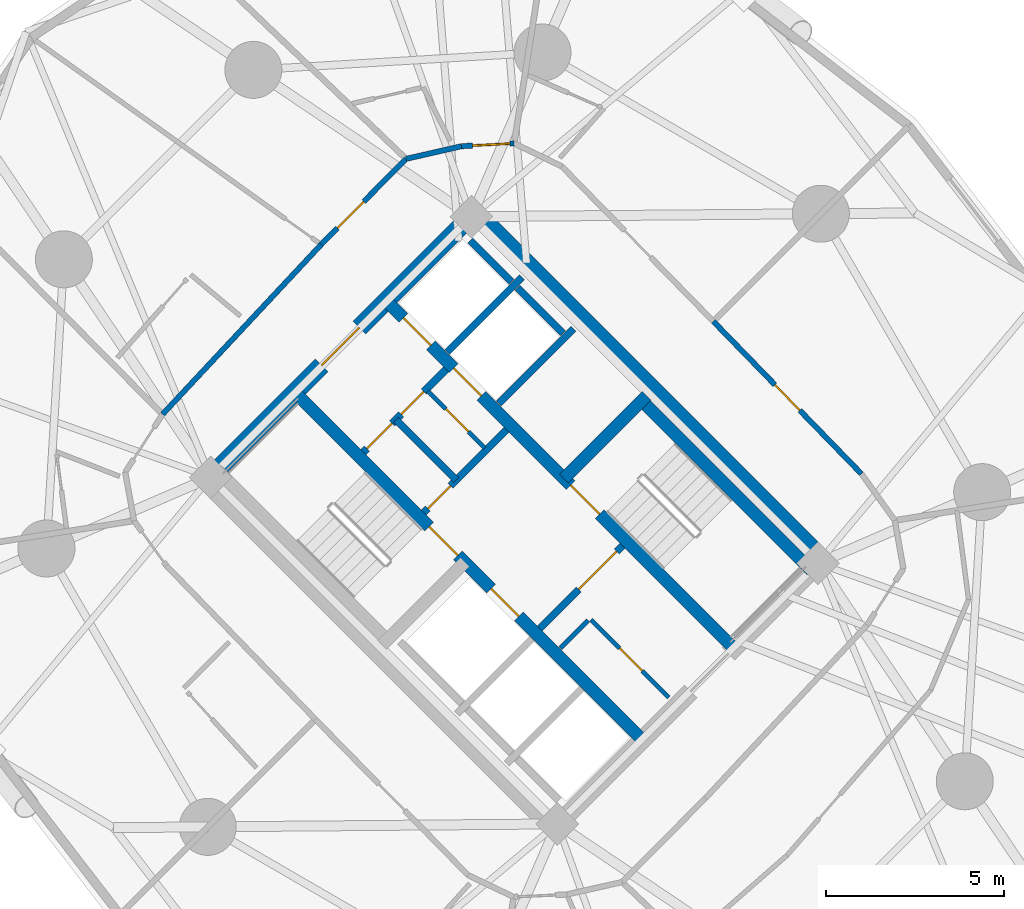
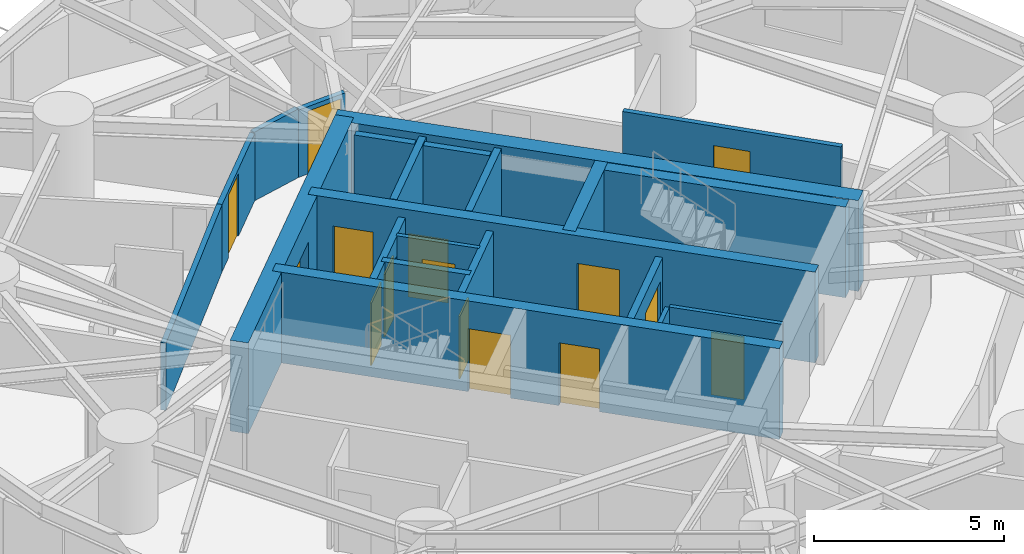
# One storey, part 14 of 19: 22 walls, 15 doors, 15 openings.
"""IFC4 building model written with IfcOpenShell, lengths in metres."""

from ifc_helpers import new_model, si_unit, direction, frame, frame_2d, origin, place, context, subcontext, project, spatial, rectangle, extrude, source, transform, mapped, material, layer, layer_set, type_object, element, fill, save


model = new_model("IFC4")

# Units and contexts
model_context = context("Model", 3, precision=1e-05, world=origin(), true_north=direction((0.0, 1.0)))
body_context = subcontext(model_context, "Body", "Model", "MODEL_VIEW")
ifc_project = project(units=[si_unit("LENGTHUNIT", "METRE"), si_unit("AREAUNIT", "SQUARE_METRE"), si_unit("VOLUMEUNIT", "CUBIC_METRE"), si_unit("PLANEANGLEUNIT", "RADIAN"), si_unit("MASSUNIT", "GRAM", prefix="KILO")], contexts=[model_context])

# Site, building, storey
site_placement = place(None, origin())
site = spatial("IfcSite", under=ifc_project, at=site_placement, CompositionType="ELEMENT")
building_placement = place(site_placement, origin())
building = spatial("IfcBuilding", under=site, at=building_placement, Name="Cununo Teusaquillo Station Towers", CompositionType="ELEMENT")
storey_placement = place(building_placement, frame((0.0, 0.0, 48.18994140625)))
storey = spatial("IfcBuildingStorey", under=building, at=storey_placement, Name="L14", CompositionType="ELEMENT", Elevation=48.18994140625)

# Walls
ifc_material_1 = material(Name="Concrete C50/60", Category="concrete")
ifc_layer_1 = layer(ifc_material_1, 0.199951171875)
ifc_layer_set_1 = layer_set([ifc_layer_1], Name="Concrete C50/60")
wall_type_1 = type_object("IfcWallType", Name="WL-CORE-200", PredefinedType="SHEAR", material=ifc_layer_set_1)
wall_1_placement = place(storey_placement, frame((57.0615234375, 27.781005859375, 0.0), z_axis=(0.0, 0.0, 1.0), x_axis=(0.707106781187, 0.707106781187, 0.0)))
element("IfcWall", 1, at=wall_1_placement, inside=storey, type_object=wall_type_1, Name="L14 Tower B Low-Rise Lift Hoistway South Shear Wall", PredefinedType="SHEAR", context=body_context, shape_type="SweptSolid", body=[
    extrude(rectangle(XDim=2.969970703125, YDim=0.199951171875, at=frame_2d((1.48486328125, 0.0))), origin(), (0.0, 0.0, 1.0), 2.91015625),
])
wall_2_placement = place(storey_placement, frame((55.615478515625, 29.22705078125, 0.0), z_axis=(0.0, 0.0, 1.0), x_axis=(0.707147878904, 0.70706568108, 0.0)))
element("IfcWall", 2, at=wall_2_placement, inside=storey, type_object=wall_type_1, Name="L14 Tower B Low-Rise Lift Hoistway Divider Shear Wall", PredefinedType="SHEAR", context=body_context, shape_type="SweptSolid", body=[
    extrude(rectangle(XDim=2.97021484375, YDim=0.199951171875, at=frame_2d((1.485107421875, 0.0))), origin(), (0.0, 0.0, 1.0), 2.91015625),
])
wall_3_placement = place(storey_placement, frame((58.86474609375, 29.75390625, 0.0), z_axis=(0.0, 0.0, 1.0), x_axis=(-0.707174411312, 0.707039144592, 0.0)))
element("IfcWall", 3, at=wall_3_placement, inside=storey, type_object=wall_type_1, Name="L14 Tower B Low-Rise Lift 1 Shaft Rear Shear Wall", PredefinedType="SHEAR", context=body_context, shape_type="SweptSolid", body=[
    extrude(rectangle(XDim=1.804931640625, YDim=0.199951171875, at=frame_2d((0.90234375, 0.0))), origin(), (0.0, 0.0, 1.0), 2.91015625),
])
wall_4_placement = place(storey_placement, frame((57.418701171875, 31.19970703125, 0.0), z_axis=(0.0, 0.0, 1.0), x_axis=(-0.707032117043, 0.707181437447, 0.0)))
element("IfcWall", 4, at=wall_4_placement, inside=storey, type_object=wall_type_1, Name="L14 Tower B Low-Rise Lift 2 Shaft Rear Shear Wall", PredefinedType="SHEAR", context=body_context, shape_type="SweptSolid", body=[
    extrude(rectangle(XDim=1.635009765625, YDim=0.199951171875, at=frame_2d((0.8173828125, 0.0))), origin(), (0.0, 0.0, 1.0), 2.91015625),
])

# Wall, openings, doors
ifc_material_2 = material(Name="Concrete C50/60", Category="concrete")
ifc_layer_2 = layer(ifc_material_2, 0.35009765625)
ifc_layer_set_2 = layer_set([ifc_layer_2], Name="Concrete C50/60")
wall_type_2 = type_object("IfcWallType", Name="WL-CORE-350", PredefinedType="SHEAR", material=ifc_layer_set_2)
wall_5_placement = place(storey_placement, frame((61.095703125, 18.337646484375, 0.0), z_axis=(0.0, 0.0, 1.0), x_axis=(-0.707106781187, 0.707106781187, 0.0)))
wall_5 = element("IfcWall", 5, at=wall_5_placement, inside=storey, type_object=wall_type_2, Name="L14 Tower B Core Shear Wall IW", PredefinedType="SHEAR", context=body_context, shape_type="SweptSolid", body=[
    extrude(rectangle(XDim=13.800048828125, YDim=0.35009765625, at=frame_2d((6.89990234375, 0.0))), origin(), (0.0, 0.0, 1.0), 2.91015625),
])
shared_shape_1 = source(origin(), body_context, "Body", "SweptSolid", [
    extrude(rectangle(XDim=1.10009765625, YDim=2.014892578125, at=frame_2d((0.550048828125, 1.00732421875))), frame((0.0, 0.18505859375, 0.0), z_axis=(0.0, -1.0, 0.0), x_axis=(1.0, 0.0, 0.0)), (0.0, 0.0, 1.0), 0.3701171875),
])
opening_1_placement = place(wall_5_placement, frame((4.89990234375, 0.0, 0.0)))
opening_1 = element("IfcOpeningElement", 6, at=opening_1_placement, cuts=wall_5, Name="Opening LD-01", PredefinedType="OPENING", context=body_context, shape_type="MappedRepresentation", body=[
    mapped(shared_shape_1, transform((0.0, 0.0, 0.0), x_axis=(1.0, 0.0, 0.0), y_axis=(0.0, 1.0, 0.0), z_axis=(0.0, 0.0, 1.0), scale=1.0)),
])
shared_shape_2 = source(origin(), body_context, "Body", "SweptSolid", [
    extrude(rectangle(XDim=1.14990234375, YDim=2.02001953125, at=frame_2d((0.574951171875, 1.010009765625))), frame((0.0, 0.18505859375, 0.0), z_axis=(0.0, -1.0, 0.0), x_axis=(1.0, 0.0, 0.0)), (0.0, 0.0, 1.0), 0.3701171875),
])
opening_2_placement = place(wall_5_placement, frame((7.320068359375, 0.0, 0.0)))
opening_2 = element("IfcOpeningElement", 7, at=opening_2_placement, cuts=wall_5, Name="Opening D-ST1", PredefinedType="OPENING", context=body_context, shape_type="MappedRepresentation", body=[
    mapped(shared_shape_2, transform((0.0, 0.0, 0.0), x_axis=(1.0, 0.0, 0.0), y_axis=(0.0, 1.0, 0.0), z_axis=(0.0, 0.0, 1.0), scale=1.0)),
])
ifc_material_3 = material(Name="Galvanised fire-rated hollow steel door assembly", Category="steel")
door_type_1 = type_object("IfcDoorType", Name="DR-LIFT-1100", OperationType="SLIDING_TO_LEFT", PredefinedType="DOOR", material=ifc_material_3)
shared_shape_3 = source(origin(), body_context, "Body", "SweptSolid", [
    extrude(rectangle(XDim=1.10009765625, YDim=2.014892578125, at=frame_2d((0.550048828125, 1.00732421875))), frame((0.0, 0.02490234375, 0.0), z_axis=(0.0, -1.0, 0.0), x_axis=(1.0, 0.0, 0.0)), (0.0, 0.0, 1.0), 0.050048828125),
])
door_1_placement = place(opening_1_placement, origin())
door_1 = element("IfcDoor", 8, at=door_1_placement, inside=storey, type_object=door_type_1, Name="L14 Lift FL-T2 Sliding Landing Door", OperationType="SLIDING_TO_RIGHT", OverallHeight=2.014892578125, OverallWidth=1.10009765625, PredefinedType="DOOR", context=body_context, shape_type="MappedRepresentation", body=[
    mapped(shared_shape_3, transform((0.0, 0.0, 0.0), x_axis=(1.0, 0.0, 0.0), y_axis=(0.0, 1.0, 0.0), z_axis=(0.0, 0.0, 1.0), scale=1.0)),
])
fill(opening_1, door_1)
ifc_material_4 = material(Name="Galvanised fire-rated hollow steel door assembly", Category="steel")
door_type_2 = type_object("IfcDoorType", Name="DR-STAIR-1150", OperationType="NOTDEFINED", PredefinedType="DOOR", material=ifc_material_4)
shared_shape_4 = source(origin(), body_context, "Body", "SweptSolid", [
    extrude(rectangle(XDim=1.14990234375, YDim=2.02001953125, at=frame_2d((0.574951171875, 1.010009765625))), frame((0.0, 0.02490234375, 0.0), z_axis=(0.0, -1.0, 0.0), x_axis=(1.0, 0.0, 0.0)), (0.0, 0.0, 1.0), 0.050048828125),
])
door_2_placement = place(opening_2_placement, origin())
door_2 = element("IfcDoor", 9, at=door_2_placement, inside=storey, type_object=door_type_2, Name="L14 Tower B Exit Stair 1 Fire Door", OperationType="SINGLE_SWING_LEFT", OverallHeight=2.02001953125, OverallWidth=1.14990234375, PredefinedType="DOOR", context=body_context, shape_type="MappedRepresentation", body=[
    mapped(shared_shape_4, transform((0.0, 0.0, 0.0), x_axis=(1.0, 0.0, 0.0), y_axis=(0.0, 1.0, 0.0), z_axis=(0.0, 0.0, 1.0), scale=1.0)),
])
fill(opening_2, door_2)

wall_6_placement = place(storey_placement, frame((63.662353515625, 20.904296875, 0.0), z_axis=(0.0, 0.0, 1.0), x_axis=(-0.707106781187, 0.707106781187, 0.0)))
wall_6 = element("IfcWall", 10, at=wall_6_placement, inside=storey, type_object=wall_type_2, Name="L14 Tower B Core Shear Wall IE", PredefinedType="SHEAR", context=body_context, shape_type="SweptSolid", body=[
    extrude(rectangle(XDim=13.800048828125, YDim=0.35009765625, at=frame_2d((6.89990234375, 0.0))), origin(), (0.0, 0.0, 1.0), 2.91015625),
])
opening_3_placement = place(wall_6_placement, frame((10.02490234375, 0.0, 0.0)))
opening_3 = element("IfcOpeningElement", 11, at=opening_3_placement, cuts=wall_6, Name="Opening LD-01", PredefinedType="OPENING", context=body_context, shape_type="MappedRepresentation", body=[
    mapped(shared_shape_1, transform((0.0, 0.0, 0.0), x_axis=(1.0, 0.0, 0.0), y_axis=(0.0, 1.0, 0.0), z_axis=(0.0, 0.0, 1.0), scale=1.0)),
])
opening_4_placement = place(wall_6_placement, frame((12.02490234375, 0.0, 0.0)))
opening_4 = element("IfcOpeningElement", 12, at=opening_4_placement, cuts=wall_6, Name="Opening LD-01", PredefinedType="OPENING", context=body_context, shape_type="MappedRepresentation", body=[
    mapped(shared_shape_1, transform((0.0, 0.0, 0.0), x_axis=(1.0, 0.0, 0.0), y_axis=(0.0, 1.0, 0.0), z_axis=(0.0, 0.0, 1.0), scale=1.0)),
])
opening_5_placement = place(wall_6_placement, frame((5.330078125, 0.0, 0.0)))
opening_5 = element("IfcOpeningElement", 13, at=opening_5_placement, cuts=wall_6, Name="Opening D-ST1", PredefinedType="OPENING", context=body_context, shape_type="MappedRepresentation", body=[
    mapped(shared_shape_2, transform((0.0, 0.0, 0.0), x_axis=(1.0, 0.0, 0.0), y_axis=(0.0, 1.0, 0.0), z_axis=(0.0, 0.0, 1.0), scale=1.0)),
])
door_3_placement = place(opening_3_placement, origin())
door_3 = element("IfcDoor", 14, at=door_3_placement, inside=storey, type_object=door_type_1, Name="L14 Lift PL-T2-L1 Sliding Landing Door", OperationType="SLIDING_TO_LEFT", OverallHeight=2.014892578125, OverallWidth=1.10009765625, PredefinedType="DOOR", context=body_context, shape_type="MappedRepresentation", body=[
    mapped(shared_shape_3, transform((0.0, 0.0, 0.0), x_axis=(1.0, 0.0, 0.0), y_axis=(0.0, 1.0, 0.0), z_axis=(0.0, 0.0, 1.0), scale=1.0)),
])
fill(opening_3, door_3)
door_4_placement = place(opening_4_placement, origin())
door_4 = element("IfcDoor", 15, at=door_4_placement, inside=storey, type_object=door_type_1, Name="L14 Lift PL-T2-L2 Sliding Landing Door", OperationType="SLIDING_TO_RIGHT", OverallHeight=2.014892578125, OverallWidth=1.10009765625, PredefinedType="DOOR", context=body_context, shape_type="MappedRepresentation", body=[
    mapped(shared_shape_3, transform((0.0, 0.0, 0.0), x_axis=(1.0, 0.0, 0.0), y_axis=(0.0, 1.0, 0.0), z_axis=(0.0, 0.0, 1.0), scale=1.0)),
])
fill(opening_4, door_4)
door_5_placement = place(opening_5_placement, origin())
door_5 = element("IfcDoor", 16, at=door_5_placement, inside=storey, type_object=door_type_2, Name="L14 Tower B Exit Stair 2 Fire Door", OperationType="SINGLE_SWING_RIGHT", OverallHeight=2.02001953125, OverallWidth=1.14990234375, PredefinedType="DOOR", context=body_context, shape_type="MappedRepresentation", body=[
    mapped(shared_shape_4, transform((0.0, 0.0, 0.0), x_axis=(1.0, 0.0, 0.0), y_axis=(0.0, 1.0, 0.0), z_axis=(0.0, 0.0, 1.0), scale=1.0)),
])
fill(opening_5, door_5)

# Walls
wall_7_placement = place(storey_placement, frame((65.847412109375, 23.08935546875, 0.0), z_axis=(0.0, 0.0, 1.0), x_axis=(-0.707106781187, 0.707106781187, 0.0)))
element("IfcWall", 17, at=wall_7_placement, inside=storey, type_object=wall_type_2, Name="L14 Tower B Core Shear Wall ST2E", PredefinedType="SHEAR", context=body_context, shape_type="SweptSolid", body=[
    extrude(rectangle(XDim=6.7451171875, YDim=0.35009765625, at=frame_2d((3.37255859375, 0.0))), origin(), (0.0, 0.0, 1.0), 2.91015625),
])
wall_8_placement = place(storey_placement, frame((58.89306640625, 25.673828125, 0.0), z_axis=(0.0, 0.0, 1.0), x_axis=(0.707106781187, 0.707106781187, 0.0)))
element("IfcWall", 18, at=wall_8_placement, inside=storey, type_object=wall_type_2, Name="L14 Tower B Core Shear Wall ST2N", PredefinedType="SHEAR", context=body_context, shape_type="SweptSolid", body=[
    extrude(rectangle(XDim=3.284912109375, YDim=0.35009765625, at=frame_2d((1.642578125, 0.0))), origin(), (0.0, 0.0, 1.0), 2.91015625),
])
ifc_material_5 = material(Name="Concrete C60/75", Category="concrete")
ifc_layer_3 = layer(ifc_material_5, 0.5)
ifc_layer_set_3 = layer_set([ifc_layer_3], Name="Concrete C60/75")
wall_type_3 = type_object("IfcWallType", Name="WL-CORE-500", PredefinedType="SHEAR", material=ifc_layer_set_3)
wall_9_placement = place(storey_placement, frame((66.3388671875, 23.227294921875, 0.0), z_axis=(0.0, 0.0, 1.0), x_axis=(-0.707106781187, 0.707106781187, 0.0)))
element("IfcWall", 19, at=wall_9_placement, inside=storey, type_object=wall_type_3, Name="L14 Tower B Core Shear Wall E", PredefinedType="SHEAR", context=body_context, shape_type="SweptSolid", body=[
    extrude(rectangle(XDim=14.2998046875, YDim=0.5, at=frame_2d((7.14990234375, 0.0))), origin(), (0.0, 0.0, 1.0), 2.91015625),
])

# Wall, opening, door
wall_10_placement = place(storey_placement, frame((48.837890625, 25.595947265625, 0.0), z_axis=(0.0, 0.0, 1.0), x_axis=(0.707106781187, 0.707106781187, 0.0)))
wall_10 = element("IfcWall", 20, at=wall_10_placement, inside=storey, type_object=wall_type_3, Name="L14 Tower B Core Shear Wall N", PredefinedType="SHEAR", context=body_context, shape_type="SweptSolid", body=[
    extrude(rectangle(XDim=10.7001953125, YDim=0.5, at=frame_2d((5.35009765625, 0.0))), origin(), (0.0, 0.0, 1.0), 2.91015625),
])
shared_shape_5 = source(origin(), body_context, "Body", "SweptSolid", [
    extrude(rectangle(XDim=1.5, YDim=2.02001953125, at=frame_2d((0.75, 1.010009765625))), frame((0.0, 0.260009765625, 0.0), z_axis=(0.0, -1.0, 0.0), x_axis=(1.0, 0.0, 0.0)), (0.0, 0.0, 1.0), 0.52001953125),
])
opening_6_placement = place(wall_10_placement, frame((4.60009765625, 0.0, 0.0)))
opening_6 = element("IfcOpeningElement", 21, at=opening_6_placement, cuts=wall_10, Name="Opening D-LB1", PredefinedType="OPENING", context=body_context, shape_type="MappedRepresentation", body=[
    mapped(shared_shape_5, transform((0.0, 0.0, 0.0), x_axis=(1.0, 0.0, 0.0), y_axis=(0.0, 1.0, 0.0), z_axis=(0.0, 0.0, 1.0), scale=1.0)),
])
ifc_material_6 = material(Name="Galvanised fire-rated hollow steel door assembly", Category="steel")
door_type_3 = type_object("IfcDoorType", Name="DR-LOBBY-1500", OperationType="DOUBLE_DOOR_SINGLE_SWING", PredefinedType="DOOR", material=ifc_material_6)
shared_shape_6 = source(origin(), body_context, "Body", "SweptSolid", [
    extrude(rectangle(XDim=1.5, YDim=2.02001953125, at=frame_2d((0.75, 1.010009765625))), frame((0.0, 0.02490234375, 0.0), z_axis=(0.0, -1.0, 0.0), x_axis=(1.0, 0.0, 0.0)), (0.0, 0.0, 1.0), 0.050048828125),
])
door_6_placement = place(opening_6_placement, origin())
door_6 = element("IfcDoor", 22, at=door_6_placement, inside=storey, type_object=door_type_3, Name="L14 Tower B North Core Lift Lobby Door", OperationType="DOUBLE_DOOR_SINGLE_SWING", OverallHeight=2.02001953125, OverallWidth=1.5, PredefinedType="DOOR", context=body_context, shape_type="MappedRepresentation", body=[
    mapped(shared_shape_6, transform((0.0, 0.0, 0.0), x_axis=(1.0, 0.0, 0.0), y_axis=(0.0, 1.0, 0.0), z_axis=(0.0, 0.0, 1.0), scale=1.0)),
])
fill(opening_6, door_6)

ifc_material_7 = material(Name="Fire-rated gypsum plasterboard partition assembly", Category="gypsum")
ifc_layer_4 = layer(ifc_material_7, 0.125)
ifc_layer_set_4 = layer_set([ifc_layer_4], Name="Fire-rated gypsum plasterboard partition assembly")
wall_type_4 = type_object("IfcWallType", Name="WL-PART-125", PredefinedType="PARTITIONING", material=ifc_layer_set_4)
wall_11_placement = place(storey_placement, frame((61.834716796875, 19.529052734375, 0.0), z_axis=(0.0, 0.0, 1.0), x_axis=(-0.707146413884, 0.707067146267, 0.0)))
wall_11 = element("IfcWall", 23, at=wall_11_placement, inside=storey, type_object=wall_type_4, Name="L14 Tower B South-West Tall Store East Wall", PredefinedType="PARTITIONING", context=body_context, shape_type="SweptSolid", body=[
    extrude(rectangle(XDim=3.079833984375, YDim=0.125, at=frame_2d((1.5400390625, 0.0))), origin(), (0.0, 0.0, 1.0), 2.635009765625),
])
shared_shape_7 = source(origin(), body_context, "Body", "SweptSolid", [
    extrude(rectangle(XDim=0.89990234375, YDim=2.0048828125, at=frame_2d((0.449951171875, 1.00244140625))), frame((0.0, 0.072509765625, 0.0), z_axis=(0.0, -1.0, 0.0), x_axis=(1.0, 0.0, 0.0)), (0.0, 0.0, 1.0), 0.14501953125),
])
opening_7_placement = place(wall_11_placement, frame((1.050048828125, 0.0, 0.0)))
opening_7 = element("IfcOpeningElement", 24, at=opening_7_placement, cuts=wall_11, Name="Opening D-SR1", PredefinedType="OPENING", context=body_context, shape_type="MappedRepresentation", body=[
    mapped(shared_shape_7, transform((0.0, 0.0, 0.0), x_axis=(1.0, 0.0, 0.0), y_axis=(0.0, 1.0, 0.0), z_axis=(0.0, 0.0, 1.0), scale=1.0)),
])
ifc_material_8 = material(Name="Galvanised fire-rated hollow steel door assembly", Category="steel")
door_type_4 = type_object("IfcDoorType", Name="DR-STORE-900", OperationType="NOTDEFINED", PredefinedType="DOOR", material=ifc_material_8)
shared_shape_8 = source(origin(), body_context, "Body", "SweptSolid", [
    extrude(rectangle(XDim=0.89990234375, YDim=2.0048828125, at=frame_2d((0.449951171875, 1.00244140625))), frame((0.0, 0.02490234375, 0.0), z_axis=(0.0, -1.0, 0.0), x_axis=(1.0, 0.0, 0.0)), (0.0, 0.0, 1.0), 0.050048828125),
])
door_7_placement = place(opening_7_placement, origin())
door_7 = element("IfcDoor", 25, at=door_7_placement, inside=storey, type_object=door_type_4, Name="L14 Tower B South Cleaners Store Door", OperationType="SINGLE_SWING_LEFT", OverallHeight=2.0048828125, OverallWidth=0.89990234375, PredefinedType="DOOR", context=body_context, shape_type="MappedRepresentation", body=[
    mapped(shared_shape_8, transform((0.0, 0.0, 0.0), x_axis=(1.0, 0.0, 0.0), y_axis=(0.0, 1.0, 0.0), z_axis=(0.0, 0.0, 1.0), scale=1.0)),
])
fill(opening_7, door_7)

# Wall
wall_12_placement = place(storey_placement, frame((58.7939453125, 20.9150390625, 0.0), z_axis=(0.0, 0.0, 1.0), x_axis=(0.707106781187, 0.707106781187, 0.0)))
element("IfcWall", 26, at=wall_12_placement, inside=storey, type_object=wall_type_4, Name="L14 Tower B South-West Tall Store North Wall", PredefinedType="PARTITIONING", context=body_context, shape_type="SweptSolid", body=[
    extrude(rectangle(XDim=1.10009765625, YDim=0.125, at=frame_2d((0.550048828125, 0.0))), origin(), (0.0, 0.0, 1.0), 2.635009765625),
])

# Wall, opening, door
wall_13_placement = place(storey_placement, frame((56.672607421875, 26.529296875, 0.0), z_axis=(0.0, 0.0, 1.0), x_axis=(-0.707052764397, 0.70716079385, 0.0)))
wall_13 = element("IfcWall", 27, at=wall_13_placement, inside=storey, type_object=wall_type_4, Name="L14 Tower B Core Vertical Split Wall", PredefinedType="PARTITIONING", context=body_context, shape_type="SweptSolid", body=[
    extrude(rectangle(XDim=2.260009765625, YDim=0.125, at=frame_2d((1.1298828125, 0.0))), origin(), (0.0, 0.0, 1.0), 2.635009765625),
])
opening_8_placement = place(wall_13_placement, frame((0.64990234375, 0.0, 0.0)))
opening_8 = element("IfcOpeningElement", 28, at=opening_8_placement, cuts=wall_13, Name="Opening D-SR1", PredefinedType="OPENING", context=body_context, shape_type="MappedRepresentation", body=[
    mapped(shared_shape_7, transform((0.0, 0.0, 0.0), x_axis=(1.0, 0.0, 0.0), y_axis=(0.0, 1.0, 0.0), z_axis=(0.0, 0.0, 1.0), scale=1.0)),
])
door_8_placement = place(opening_8_placement, origin())
door_8 = element("IfcDoor", 29, at=door_8_placement, inside=storey, type_object=door_type_4, Name="L14 Tower B Core Electrical Room Door", OperationType="SINGLE_SWING_LEFT", OverallHeight=2.0048828125, OverallWidth=0.89990234375, PredefinedType="DOOR", context=body_context, shape_type="MappedRepresentation", body=[
    mapped(shared_shape_8, transform((0.0, 0.0, 0.0), x_axis=(1.0, 0.0, 0.0), y_axis=(0.0, 1.0, 0.0), z_axis=(0.0, 0.0, 1.0), scale=1.0)),
])
fill(opening_8, door_8)

ifc_material_9 = material(Name="Fire-rated gypsum plasterboard partition assembly", Category="gypsum")
ifc_layer_5 = layer(ifc_material_9, 0.14990234375)
ifc_layer_set_5 = layer_set([ifc_layer_5], Name="Fire-rated gypsum plasterboard partition assembly")
wall_type_5 = type_object("IfcWallType", Name="WL-PART-150", PredefinedType="PARTITIONING", material=ifc_layer_set_5)
wall_14_placement = place(storey_placement, frame((57.4951171875, 35.082763671875, 0.0), z_axis=(0.0, 0.0, 1.0), x_axis=(-0.998536503254, -0.054081897798, 0.0)))
wall_14 = element("IfcWall", 30, at=wall_14_placement, inside=storey, type_object=wall_type_5, Name="L14 Tower B Corridor Ring Wall C02", PredefinedType="PARTITIONING", context=body_context, shape_type="SweptSolid", body=[
    extrude(rectangle(XDim=1.480712890625, YDim=0.14990234375, at=frame_2d((0.740234375, 0.0))), origin(), (0.0, 0.0, 1.0), 2.1591796875),
])
shared_shape_9 = source(origin(), body_context, "Body", "SweptSolid", [
    extrude(rectangle(XDim=1.050048828125, YDim=2.014892578125, at=frame_2d((0.52490234375, 1.00732421875))), frame((0.0, 0.0849609375, 0.0), z_axis=(0.0, -1.0, 0.0), x_axis=(1.0, 0.0, 0.0)), (0.0, 0.0, 1.0), 0.169921875),
])
opening_9_placement = place(wall_14_placement, frame((0.1201171875, 0.0, 0.0)))
opening_9 = element("IfcOpeningElement", 31, at=opening_9_placement, cuts=wall_14, Name="Opening D-SU1", PredefinedType="OPENING", context=body_context, shape_type="MappedRepresentation", body=[
    mapped(shared_shape_9, transform((0.0, 0.0, 0.0), x_axis=(1.0, 0.0, 0.0), y_axis=(0.0, 1.0, 0.0), z_axis=(0.0, 0.0, 1.0), scale=1.0)),
])
ifc_material_10 = material(Name="Acoustic solid-core hardwood leaf assembly", Category="wood")
door_type_5 = type_object("IfcDoorType", Name="DR-SUITE-1050", OperationType="NOTDEFINED", PredefinedType="DOOR", material=ifc_material_10)
shared_shape_10 = source(origin(), body_context, "Body", "SweptSolid", [
    extrude(rectangle(XDim=1.050048828125, YDim=2.014892578125, at=frame_2d((0.52490234375, 1.00732421875))), frame((0.0, 0.02490234375, 0.0), z_axis=(0.0, -1.0, 0.0), x_axis=(1.0, 0.0, 0.0)), (0.0, 0.0, 1.0), 0.050048828125),
])
door_9_placement = place(opening_9_placement, origin())
door_9 = element("IfcDoor", 32, at=door_9_placement, inside=storey, type_object=door_type_5, Name="L14 Tower B Executive Club Hotel Suite Entrance Door", OperationType="SINGLE_SWING_RIGHT", OverallHeight=2.014892578125, OverallWidth=1.050048828125, PredefinedType="DOOR", context=body_context, shape_type="MappedRepresentation", body=[
    mapped(shared_shape_10, transform((0.0, 0.0, 0.0), x_axis=(1.0, 0.0, 0.0), y_axis=(0.0, 1.0, 0.0), z_axis=(0.0, 0.0, 1.0), scale=1.0)),
])
fill(opening_9, door_9)

# Wall
wall_15_placement = place(storey_placement, frame((56.0166015625, 35.002685546875, 0.0), z_axis=(0.0, 0.0, 1.0), x_axis=(-0.974924954781, -0.222533890777, 0.0)))
element("IfcWall", 33, at=wall_15_placement, inside=storey, type_object=wall_type_5, Name="L14 Tower B Corridor Ring Wall C03", PredefinedType="PARTITIONING", context=body_context, shape_type="SweptSolid", body=[
    extrude(rectangle(XDim=1.59521484375, YDim=0.14990234375, at=frame_2d((0.797607421875, 0.0))), origin(), (0.0, 0.0, 1.0), 2.205078125),
])

# Wall, opening, door
wall_16_placement = place(storey_placement, frame((54.46142578125, 34.647705078125, 0.0), z_axis=(0.0, 0.0, 1.0), x_axis=(-0.70403409755, -0.710166170334, 0.0)))
wall_16 = element("IfcWall", 34, at=wall_16_placement, inside=storey, type_object=wall_type_5, Name="L14 Tower B Corridor Ring Wall C04", PredefinedType="PARTITIONING", context=body_context, shape_type="SweptSolid", body=[
    extrude(rectangle(XDim=3.38427734375, YDim=0.14990234375, at=frame_2d((1.692138671875, 0.0))), origin(), (0.0, 0.0, 1.0), 2.1591796875),
])
opening_10_placement = place(wall_16_placement, frame((1.690673828125, 0.0, 0.0)))
opening_10 = element("IfcOpeningElement", 35, at=opening_10_placement, cuts=wall_16, Name="Opening D-SU1", PredefinedType="OPENING", context=body_context, shape_type="MappedRepresentation", body=[
    mapped(shared_shape_9, transform((0.0, 0.0, 0.0), x_axis=(1.0, 0.0, 0.0), y_axis=(0.0, 1.0, 0.0), z_axis=(0.0, 0.0, 1.0), scale=1.0)),
])
door_10_placement = place(opening_10_placement, origin())
door_10 = element("IfcDoor", 36, at=door_10_placement, inside=storey, type_object=door_type_5, Name="L14 Tower B Presidential Hospitality Suite Entrance Door", OperationType="SINGLE_SWING_RIGHT", OverallHeight=2.014892578125, OverallWidth=1.050048828125, PredefinedType="DOOR", context=body_context, shape_type="MappedRepresentation", body=[
    mapped(shared_shape_10, transform((0.0, 0.0, 0.0), x_axis=(1.0, 0.0, 0.0), y_axis=(0.0, 1.0, 0.0), z_axis=(0.0, 0.0, 1.0), scale=1.0)),
])
fill(opening_10, door_10)

# Wall
wall_17_placement = place(storey_placement, frame((52.078857421875, 32.244384765625, 0.0), z_axis=(0.0, 0.0, 1.0), x_axis=(-0.682703325574, -0.730695674854, 0.0)))
element("IfcWall", 37, at=wall_17_placement, inside=storey, type_object=wall_type_5, Name="L14 Tower B Corridor Ring Wall C05", PredefinedType="PARTITIONING", context=body_context, shape_type="SweptSolid", body=[
    extrude(rectangle(XDim=6.526611328125, YDim=0.14990234375, at=frame_2d((3.26318359375, 0.0))), origin(), (0.0, 0.0, 1.0), 2.1591796875),
])

# Wall, opening, door
wall_18_placement = place(storey_placement, frame((67.247314453125, 25.802490234375, 0.0), z_axis=(0.0, 0.0, 1.0), x_axis=(-0.696771261687, 0.71729339108, 0.0)))
wall_18 = element("IfcWall", 38, at=wall_18_placement, inside=storey, type_object=wall_type_5, Name="L14 Tower B Corridor Ring Wall C19", PredefinedType="PARTITIONING", context=body_context, shape_type="SweptSolid", body=[
    extrude(rectangle(XDim=5.971923828125, YDim=0.14990234375, at=frame_2d((2.98583984375, 0.0))), origin(), (0.0, 0.0, 1.0), 2.635009765625),
])
shared_shape_11 = source(origin(), body_context, "Body", "SweptSolid", [
    extrude(rectangle(XDim=1.0, YDim=2.014892578125, at=frame_2d((0.5, 1.00732421875))), frame((0.0, 0.0849609375, 0.0), z_axis=(0.0, -1.0, 0.0), x_axis=(1.0, 0.0, 0.0)), (0.0, 0.0, 1.0), 0.169921875),
])
opening_11_placement = place(wall_18_placement, frame((2.486083984375, 0.0, 0.0)))
opening_11 = element("IfcOpeningElement", 39, at=opening_11_placement, cuts=wall_18, Name="Opening D-AC1", PredefinedType="OPENING", context=body_context, shape_type="MappedRepresentation", body=[
    mapped(shared_shape_11, transform((0.0, 0.0, 0.0), x_axis=(1.0, 0.0, 0.0), y_axis=(0.0, 1.0, 0.0), z_axis=(0.0, 0.0, 1.0), scale=1.0)),
])
ifc_material_11 = material(Name="Acoustic solid-core hardwood leaf assembly", Category="wood")
door_type_6 = type_object("IfcDoorType", Name="DR-ACC-1000", OperationType="NOTDEFINED", PredefinedType="DOOR", material=ifc_material_11)
shared_shape_12 = source(origin(), body_context, "Body", "SweptSolid", [
    extrude(rectangle(XDim=1.0, YDim=2.014892578125, at=frame_2d((0.5, 1.00732421875))), frame((0.0, 0.02490234375, 0.0), z_axis=(0.0, -1.0, 0.0), x_axis=(1.0, 0.0, 0.0)), (0.0, 0.0, 1.0), 0.050048828125),
])
door_11_placement = place(opening_11_placement, origin())
door_11 = element("IfcDoor", 40, at=door_11_placement, inside=storey, type_object=door_type_6, Name="L14 Tower B Public Accessible Restroom WC Entrance Door", OperationType="SINGLE_SWING_LEFT", OverallHeight=2.014892578125, OverallWidth=1.0, PredefinedType="DOOR", context=body_context, shape_type="MappedRepresentation", body=[
    mapped(shared_shape_12, transform((0.0, 0.0, 0.0), x_axis=(1.0, 0.0, 0.0), y_axis=(0.0, 1.0, 0.0), z_axis=(0.0, 0.0, 1.0), scale=1.0)),
])
fill(opening_11, door_11)

ifc_material_12 = material(Name="Fire-rated gypsum plasterboard partition assembly", Category="gypsum")
ifc_layer_6 = layer(ifc_material_12, 0.199951171875)
ifc_layer_set_6 = layer_set([ifc_layer_6], Name="Fire-rated gypsum plasterboard partition assembly")
wall_type_6 = type_object("IfcWallType", Name="WL-PART-200", PredefinedType="PARTITIONING", material=ifc_layer_set_6)
wall_19_placement = place(storey_placement, frame((58.214111328125, 21.466552734375, 0.0), z_axis=(0.0, 0.0, 1.0), x_axis=(0.707106781187, 0.707106781187, 0.0)))
wall_19 = element("IfcWall", 41, at=wall_19_placement, inside=storey, type_object=wall_type_6, Name="L14 Tower B Firefighting Lift Lobby South Fire Wall", PredefinedType="PARTITIONING", context=body_context, shape_type="SweptSolid", body=[
    extrude(rectangle(XDim=3.280029296875, YDim=0.199951171875, at=frame_2d((1.64013671875, 0.0))), origin(), (0.0, 0.0, 1.0), 2.635009765625),
])
shared_shape_13 = source(origin(), body_context, "Body", "SweptSolid", [
    extrude(rectangle(XDim=1.5, YDim=2.02001953125, at=frame_2d((0.75, 1.010009765625))), frame((0.0, 0.10986328125, 0.0), z_axis=(0.0, -1.0, 0.0), x_axis=(1.0, 0.0, 0.0)), (0.0, 0.0, 1.0), 0.219970703125),
])
opening_12_placement = place(wall_19_placement, frame((1.550048828125, 0.0, 0.0)))
opening_12 = element("IfcOpeningElement", 42, at=opening_12_placement, cuts=wall_19, Name="Opening D-LB1", PredefinedType="OPENING", context=body_context, shape_type="MappedRepresentation", body=[
    mapped(shared_shape_13, transform((0.0, 0.0, 0.0), x_axis=(1.0, 0.0, 0.0), y_axis=(0.0, 1.0, 0.0), z_axis=(0.0, 0.0, 1.0), scale=1.0)),
])
door_12_placement = place(opening_12_placement, origin())
door_12 = element("IfcDoor", 43, at=door_12_placement, inside=storey, type_object=door_type_3, Name="L14 Tower B Firefighting Lift Lobby South Fire Door", OperationType="DOUBLE_DOOR_SINGLE_SWING", OverallHeight=2.02001953125, OverallWidth=1.5, PredefinedType="DOOR", context=body_context, shape_type="MappedRepresentation", body=[
    mapped(shared_shape_6, transform((0.0, 0.0, 0.0), x_axis=(1.0, 0.0, 0.0), y_axis=(0.0, 1.0, 0.0), z_axis=(0.0, 0.0, 1.0), scale=1.0)),
])
fill(opening_12, door_12)

wall_20_placement = place(storey_placement, frame((54.96142578125, 24.71923828125, 0.0), z_axis=(0.0, 0.0, 1.0), x_axis=(0.707106781187, 0.707106781187, 0.0)))
wall_20 = element("IfcWall", 44, at=wall_20_placement, inside=storey, type_object=wall_type_6, Name="L14 Tower B Firefighting Lift Lobby North Fire Wall", PredefinedType="PARTITIONING", context=body_context, shape_type="SweptSolid", body=[
    extrude(rectangle(XDim=3.280029296875, YDim=0.199951171875, at=frame_2d((1.64013671875, 0.0))), origin(), (0.0, 0.0, 1.0), 2.635009765625),
])
shared_shape_14 = source(origin(), body_context, "Body", "SweptSolid", [
    extrude(rectangle(XDim=0.89990234375, YDim=2.0048828125, at=frame_2d((0.449951171875, 1.00244140625))), frame((0.0, 0.10986328125, 0.0), z_axis=(0.0, -1.0, 0.0), x_axis=(1.0, 0.0, 0.0)), (0.0, 0.0, 1.0), 0.219970703125),
])
opening_13_placement = place(wall_20_placement, frame((0.159912109375, 0.0, 0.0)))
opening_13 = element("IfcOpeningElement", 45, at=opening_13_placement, cuts=wall_20, Name="Opening D-SR1", PredefinedType="OPENING", context=body_context, shape_type="MappedRepresentation", body=[
    mapped(shared_shape_14, transform((0.0, 0.0, 0.0), x_axis=(1.0, 0.0, 0.0), y_axis=(0.0, 1.0, 0.0), z_axis=(0.0, 0.0, 1.0), scale=1.0)),
])
door_13_placement = place(opening_13_placement, origin())
door_13 = element("IfcDoor", 46, at=door_13_placement, inside=storey, type_object=door_type_4, Name="L14 Tower B Stair 1 Protected Vestibule South Door", OperationType="SINGLE_SWING_LEFT", OverallHeight=2.0048828125, OverallWidth=0.89990234375, PredefinedType="DOOR", context=body_context, shape_type="MappedRepresentation", body=[
    mapped(shared_shape_8, transform((0.0, 0.0, 0.0), x_axis=(1.0, 0.0, 0.0), y_axis=(0.0, 1.0, 0.0), z_axis=(0.0, 0.0, 1.0), scale=1.0)),
])
fill(opening_13, door_13)

# Wall
wall_21_placement = place(storey_placement, frame((55.873779296875, 25.63134765625, 0.0), z_axis=(0.0, 0.0, 1.0), x_axis=(-0.707157639372, 0.707055919343, 0.0)))
element("IfcWall", 47, at=wall_21_placement, inside=storey, type_object=wall_type_6, Name="L14 Tower B Stair 1 Vestibule Partition Wall", PredefinedType="PARTITIONING", context=body_context, shape_type="SweptSolid", body=[
    extrude(rectangle(XDim=2.400146484375, YDim=0.199951171875, at=frame_2d((1.2001953125, 0.0))), origin(), (0.0, 0.0, 1.0), 2.635009765625),
])

# Wall, openings, doors
wall_22_placement = place(storey_placement, frame((53.264404296875, 26.416259765625, 0.0), z_axis=(0.0, 0.0, 1.0), x_axis=(0.707106781187, 0.707106781187, 0.0)))
wall_22 = element("IfcWall", 48, at=wall_22_placement, inside=storey, type_object=wall_type_6, Name="L14 Tower B North Lift Lobby South Fire Wall", PredefinedType="PARTITIONING", context=body_context, shape_type="SweptSolid", body=[
    extrude(rectangle(XDim=3.280029296875, YDim=0.199951171875, at=frame_2d((1.64013671875, 0.0))), origin(), (0.0, 0.0, 1.0), 2.635009765625),
])
shared_shape_15 = source(origin(), body_context, "Body", "SweptSolid", [
    extrude(rectangle(XDim=1.0, YDim=2.014892578125, at=frame_2d((0.5, 1.00732421875))), frame((0.0, 0.10986328125, 0.0), z_axis=(0.0, -1.0, 0.0), x_axis=(1.0, 0.0, 0.0)), (0.0, 0.0, 1.0), 0.219970703125),
])
opening_14_placement = place(wall_22_placement, frame((0.139892578125, 0.0, 0.0)))
opening_14 = element("IfcOpeningElement", 49, at=opening_14_placement, cuts=wall_22, Name="Opening D-AC1", PredefinedType="OPENING", context=body_context, shape_type="MappedRepresentation", body=[
    mapped(shared_shape_15, transform((0.0, 0.0, 0.0), x_axis=(1.0, 0.0, 0.0), y_axis=(0.0, 1.0, 0.0), z_axis=(0.0, 0.0, 1.0), scale=1.0)),
])
opening_15_placement = place(wall_22_placement, frame((1.5, 0.0, 0.0)))
opening_15 = element("IfcOpeningElement", 50, at=opening_15_placement, cuts=wall_22, Name="Opening D-SR1", PredefinedType="OPENING", context=body_context, shape_type="MappedRepresentation", body=[
    mapped(shared_shape_14, transform((0.0, 0.0, 0.0), x_axis=(1.0, 0.0, 0.0), y_axis=(0.0, 1.0, 0.0), z_axis=(0.0, 0.0, 1.0), scale=1.0)),
])
door_14_placement = place(opening_15_placement, origin())
door_14 = element("IfcDoor", 51, at=door_14_placement, inside=storey, type_object=door_type_4, Name="L14 Tower B Core Housekeeping Store Door", OperationType="SINGLE_SWING_RIGHT", OverallHeight=2.0048828125, OverallWidth=0.89990234375, PredefinedType="DOOR", context=body_context, shape_type="MappedRepresentation", body=[
    mapped(shared_shape_8, transform((0.0, 0.0, 0.0), x_axis=(1.0, 0.0, 0.0), y_axis=(0.0, 1.0, 0.0), z_axis=(0.0, 0.0, 1.0), scale=1.0)),
])
fill(opening_15, door_14)
door_15_placement = place(opening_14_placement, origin())
door_15 = element("IfcDoor", 52, at=door_15_placement, inside=storey, type_object=door_type_6, Name="L14 Tower B North Lift Lobby to Stair 1 Vestibule Door", OperationType="SINGLE_SWING_RIGHT", OverallHeight=2.014892578125, OverallWidth=1.0, PredefinedType="DOOR", context=body_context, shape_type="MappedRepresentation", body=[
    mapped(shared_shape_12, transform((0.0, 0.0, 0.0), x_axis=(1.0, 0.0, 0.0), y_axis=(0.0, 1.0, 0.0), z_axis=(0.0, 0.0, 1.0), scale=1.0)),
])
fill(opening_14, door_15)

save(model, "model.ifc")
